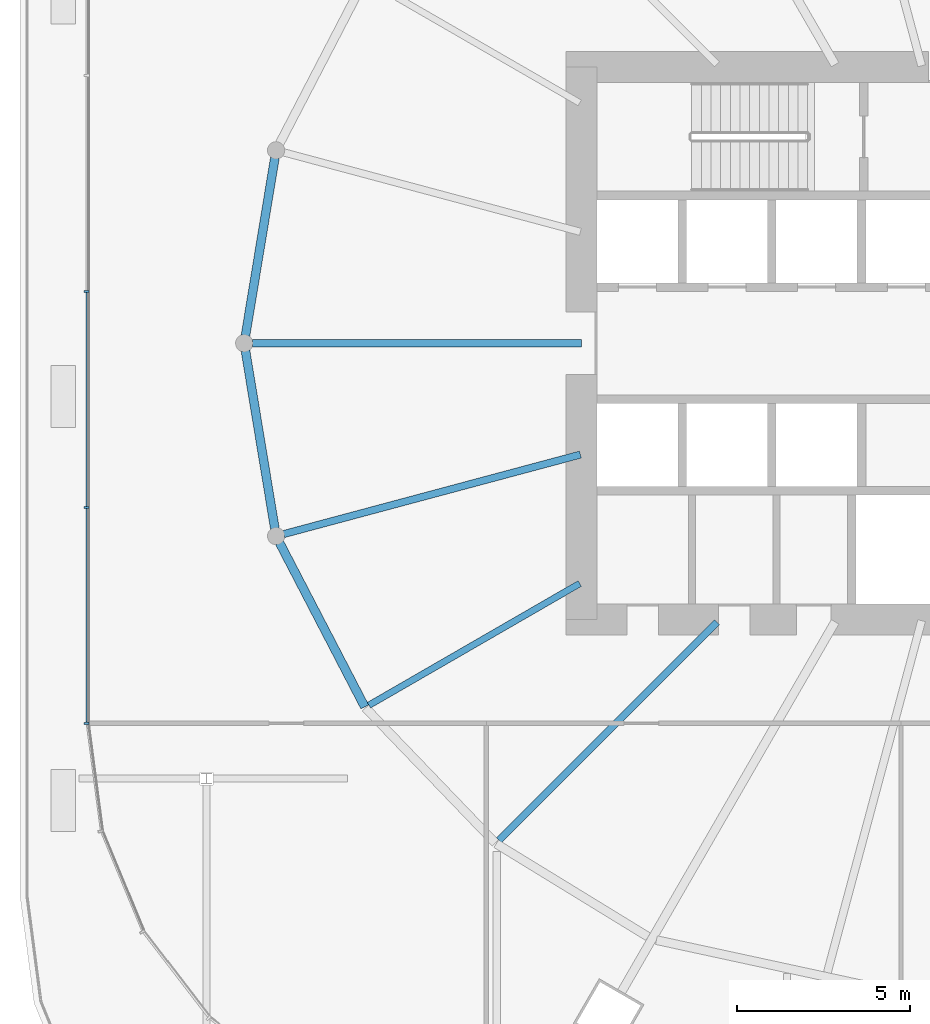
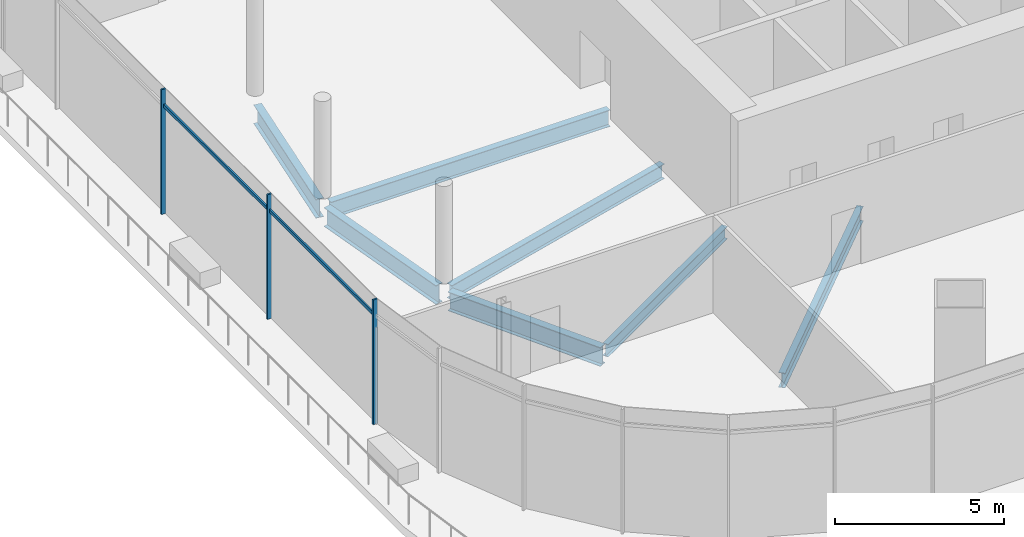
# One storey, part 11 of 49: 7 beams, 5 members, 1 element without a shape of its own.
"""IFC4 building model written with IfcOpenShell, lengths in metres."""

from ifc_helpers import new_model, si_unit, direction, frame, origin, origin_2d, place, context, subcontext, project, spatial, rectangle, i_section, extrude, material, material_profile, profile_set, type_object, element, aggregate, save


model = new_model("IFC4")

# Units and contexts
model_context = context("Model", 3, precision=1e-05, world=origin(), true_north=direction((0.0, 1.0)))
body_context = subcontext(model_context, "Body", "Model", "MODEL_VIEW")
ifc_project = project(units=[si_unit("LENGTHUNIT", "METRE"), si_unit("AREAUNIT", "SQUARE_METRE"), si_unit("VOLUMEUNIT", "CUBIC_METRE"), si_unit("PLANEANGLEUNIT", "RADIAN"), si_unit("MASSUNIT", "GRAM", prefix="KILO")], contexts=[model_context])

# Site, building, storey
site_placement = place(None, origin())
site = spatial("IfcSite", under=ifc_project, at=site_placement, CompositionType="ELEMENT")
building_placement = place(site_placement, origin())
building = spatial("IfcBuilding", under=site, at=building_placement, Name="Rimbun Link Towers", CompositionType="ELEMENT")
storey_placement = place(building_placement, frame((0.0, 0.0, 25.5)))
storey = spatial("IfcBuildingStorey", under=building, at=storey_placement, Name="L05", CompositionType="ELEMENT", Elevation=25.5)

# Curtain wall, members
ifc_material_1 = material(Name="Aluminium 6063-T6 and low-iron glass", Category="aluminium")
curtain_wall_type = type_object("IfcCurtainWallType", Name="CW3 podium shopfront", PredefinedType="NOTDEFINED", material=ifc_material_1)
curtain_wall_placement = place(storey_placement, origin())
curtain_wall = element("IfcCurtainWall", 1, at=curtain_wall_placement, inside=storey, type_object=curtain_wall_type, Name="CW3 L05 PD", PredefinedType="NOTDEFINED")
ifc_material_2 = material(Name="Aluminium 6063-T6", Category="aluminium")
ifc_material_profile_1 = material_profile(ifc_material_2, rectangle(XDim=0.14990234375, YDim=0.06005859375, at=origin_2d()), Name="MULLION 60X150")
ifc_profile_set_1 = profile_set([ifc_material_profile_1], Name="Aluminium 6063-T6")
member_type_1 = type_object("IfcMemberType", Name="CW3 mullion 60X150", PredefinedType="MULLION", material=ifc_profile_set_1)
member_1_placement = place(storey_placement, frame((-58.074951171875, 1.5, 0.0), z_axis=(0.0, 0.0, 1.0), x_axis=(-1.0, 0.0, 0.0)))
member_1 = element("IfcMember", 2, at=member_1_placement, type_object=member_type_1, Name="CW3 mullion", PredefinedType="MULLION", context=body_context, shape_type="SweptSolid", body=[
    extrude(rectangle(XDim=0.14990234375, YDim=0.06005859375, at=origin_2d()), origin(), (0.0, 0.0, 1.0), 4.5),
])
member_2_placement = place(storey_placement, frame((-58.074951171875, -4.75, 0.0), z_axis=(0.0, 0.0, 1.0), x_axis=(-1.0, 0.0, 0.0)))
member_2 = element("IfcMember", 3, at=member_2_placement, type_object=member_type_1, Name="CW3 mullion", PredefinedType="MULLION", context=body_context, shape_type="SweptSolid", body=[
    extrude(rectangle(XDim=0.14990234375, YDim=0.06005859375, at=origin_2d()), origin(), (0.0, 0.0, 1.0), 4.5),
])
member_3_placement = place(storey_placement, frame((-58.074951171875, -11.0048828125, 0.0), z_axis=(0.0, 0.0, 1.0), x_axis=(-0.997858781723, -0.065405288299, 0.0)))
member_3 = element("IfcMember", 4, at=member_3_placement, type_object=member_type_1, Name="CW3 mullion", PredefinedType="MULLION", context=body_context, shape_type="SweptSolid", body=[
    extrude(rectangle(XDim=0.14990234375, YDim=0.06005859375, at=origin_2d()), origin(), (0.0, 0.0, 1.0), 4.5),
])
ifc_material_3 = material(Name="Aluminium 6063-T6", Category="aluminium")
ifc_material_profile_2 = material_profile(ifc_material_3, rectangle(XDim=0.06005859375, YDim=0.1201171875, at=origin_2d()), Name="TRANSOM 60X120")
ifc_profile_set_2 = profile_set([ifc_material_profile_2], Name="Aluminium 6063-T6")
member_type_2 = type_object("IfcMemberType", Name="CW3 transom 60X120", PredefinedType="USERDEFINED", material=ifc_profile_set_2)
member_4_placement = place(storey_placement, frame((-58.053955078125, -4.719970703125, 3.89990234375), z_axis=(0.0, 1.0, 0.0), x_axis=(-1.0, 0.0, 0.0)))
member_4 = element("IfcMember", 5, at=member_4_placement, type_object=member_type_2, Name="CW3 transom", ObjectType="TRANSOM", PredefinedType="USERDEFINED", context=body_context, shape_type="SweptSolid", body=[
    extrude(rectangle(XDim=0.06005859375, YDim=0.1201171875, at=origin_2d()), origin(), (0.0, 0.0, 1.0), 6.18994140625),
])
member_5_placement = place(storey_placement, frame((-58.053955078125, -10.969970703125, 3.89990234375), z_axis=(0.0, 1.0, 0.0), x_axis=(-1.0, 0.0, 0.0)))
member_5 = element("IfcMember", 6, at=member_5_placement, type_object=member_type_2, Name="CW3 transom", ObjectType="TRANSOM", PredefinedType="USERDEFINED", context=body_context, shape_type="SweptSolid", body=[
    extrude(rectangle(XDim=0.06005859375, YDim=0.1201171875, at=origin_2d()), origin(), (0.0, 0.0, 1.0), 6.18994140625),
])
aggregate(curtain_wall, [member_1, member_2, member_3, member_4, member_5])

# Beams
ifc_material_4 = material(Name="Steel S355J2", Category="steel")
ifc_material_profile_3 = material_profile(ifc_material_4, i_section(OverallWidth=0.18994140625, OverallDepth=0.453369140625, WebThickness=0.008544921875, FlangeThickness=0.0126953125, at=origin_2d()), Name="UB 457x191x67")
ifc_profile_set_3 = profile_set([ifc_material_profile_3], Name="Steel S355J2")
beam_type_1 = type_object("IfcBeamType", Name="UB 457x191x67", PredefinedType="BEAM", material=ifc_profile_set_3)
beam_1_placement = place(storey_placement, frame((-43.79833984375, -6.9560546875, -0.526611328125), z_axis=(-0.866023453068, -0.500003378725, 0.0), x_axis=(0.500003378725, -0.866023453068, 0.0)))
element("IfcBeam", 7, at=beam_1_placement, inside=storey, type_object=beam_type_1, Name="Radial beam T1 L05 14", PredefinedType="BEAM", context=body_context, shape_type="SweptSolid", body=[
    extrude(i_section(OverallWidth=0.18994140625, OverallDepth=0.453369140625, WebThickness=0.008544921875, FlangeThickness=0.0126953125, at=origin_2d()), origin(), (0.0, 0.0, 1.0), 7.04638671875),
])
ifc_material_5 = material(Name="Steel S355J2", Category="steel")
ifc_material_profile_4 = material_profile(ifc_material_5, i_section(OverallWidth=0.209228515625, OverallDepth=0.533203125, WebThickness=0.010009765625, FlangeThickness=0.015625, at=origin_2d()), Name="UB 533x210x92")
ifc_profile_set_4 = profile_set([ifc_material_profile_4], Name="Steel S355J2")
beam_type_2 = type_object("IfcBeamType", Name="UB 533x210x92", PredefinedType="BEAM", material=ifc_profile_set_4)
beam_2_placement = place(storey_placement, frame((-43.778076171875, -3.222900390625, -0.56640625), z_axis=(-0.965921441409, -0.258835409145, 0.0), x_axis=(0.258835409145, -0.965921441409, 0.0)))
element("IfcBeam", 8, at=beam_2_placement, inside=storey, type_object=beam_type_2, Name="Radial beam T1 L05 13", PredefinedType="BEAM", context=body_context, shape_type="SweptSolid", body=[
    extrude(i_section(OverallWidth=0.209228515625, OverallDepth=0.533203125, WebThickness=0.010009765625, FlangeThickness=0.015625, at=origin_2d()), origin(), (0.0, 0.0, 1.0), 8.88720703125),
])
beam_3_placement = place(storey_placement, frame((-39.82470703125, -8.07470703125, -0.56640625), z_axis=(-0.707106781187, -0.707106781187, 0.0), x_axis=(0.707106781187, -0.707106781187, 0.0)))
element("IfcBeam", 9, at=beam_3_placement, inside=storey, type_object=beam_type_2, Name="Radial beam T1 L05 15", PredefinedType="BEAM", context=body_context, shape_type="SweptSolid", body=[
    extrude(i_section(OverallWidth=0.209228515625, OverallDepth=0.533203125, WebThickness=0.010009765625, FlangeThickness=0.015625, at=origin_2d()), origin(), (0.0, 0.0, 1.0), 8.9287109375),
])
ifc_material_6 = material(Name="Steel S355J2", Category="steel")
ifc_material_profile_5 = material_profile(ifc_material_6, i_section(OverallWidth=0.2275390625, OverallDepth=0.6025390625, WebThickness=0.010498046875, FlangeThickness=0.014892578125, at=origin_2d()), Name="UB 610x229x101")
ifc_profile_set_5 = profile_set([ifc_material_profile_5], Name="Steel S355J2")
beam_type_3 = type_object("IfcBeamType", Name="UB 610x229x101", PredefinedType="BEAM", material=ifc_profile_set_5)
beam_4_placement = place(storey_placement, frame((-43.7509765625, 0.0, -0.601318359375), z_axis=(-1.0, 0.0, 0.0), x_axis=(0.0, -1.0, 0.0)))
element("IfcBeam", 10, at=beam_4_placement, inside=storey, type_object=beam_type_3, Name="Radial beam T1 L05 12", PredefinedType="BEAM", context=body_context, shape_type="SweptSolid", body=[
    extrude(i_section(OverallWidth=0.2275390625, OverallDepth=0.6025390625, WebThickness=0.010498046875, FlangeThickness=0.014892578125, at=origin_2d()), origin(), (0.0, 0.0, 1.0), 9.5263671875),
])
ifc_material_7 = material(Name="Steel S355J2", Category="steel")
ifc_material_profile_6 = material_profile(ifc_material_7, i_section(OverallWidth=0.253662109375, OverallDepth=0.68359375, WebThickness=0.012451171875, FlangeThickness=0.01904296875, at=origin_2d()), Name="UB 686x254x140")
ifc_profile_set_6 = profile_set([ifc_material_profile_6], Name="Steel S355J2")
beam_type_4 = type_object("IfcBeamType", Name="UB 686x254x140", PredefinedType="BEAM", material=ifc_profile_set_6)
for number, where, z_axis, x_axis, name in (
    (11, (-52.62255859375, 5.365478515625, -0.641845703125), (-0.163063422521, -0.986615588887, 0.0), (0.986615588887, -0.163063422521, 0.0), "Edge beam T1 L05 11"),
    (12, (-53.473388671875, -0.217529296875, -0.641845703125), (0.163063422521, -0.986615588887, 0.0), (0.986615588887, 0.163063422521, 0.0), "Edge beam T1 L05 12"),
):
    element("IfcBeam", number, at=place(storey_placement, frame(where, z_axis=z_axis, x_axis=x_axis)), inside=storey, type_object=beam_type_4, Name=name, PredefinedType="BEAM", context=body_context, shape_type="SweptSolid", body=[
        extrude(i_section(OverallWidth=0.253662109375, OverallDepth=0.68359375, WebThickness=0.012451171875, FlangeThickness=0.01904296875, at=origin_2d()), origin(), (0.0, 0.0, 1.0), 5.2177734375),
    ])
beam_5_placement = place(storey_placement, frame((-52.485107421875, -5.77880859375, -0.641845703125), z_axis=(0.460708800711, -0.887551351161, 0.0), x_axis=(0.887551351161, 0.460708800711, 0.0)))
element("IfcBeam", 13, at=beam_5_placement, inside=storey, type_object=beam_type_4, Name="Edge beam T1 L05 13", PredefinedType="BEAM", context=body_context, shape_type="SweptSolid", body=[
    extrude(i_section(OverallWidth=0.253662109375, OverallDepth=0.68359375, WebThickness=0.012451171875, FlangeThickness=0.01904296875, at=origin_2d()), origin(), (0.0, 0.0, 1.0), 5.34912109375),
])

save(model, "model.ifc")
